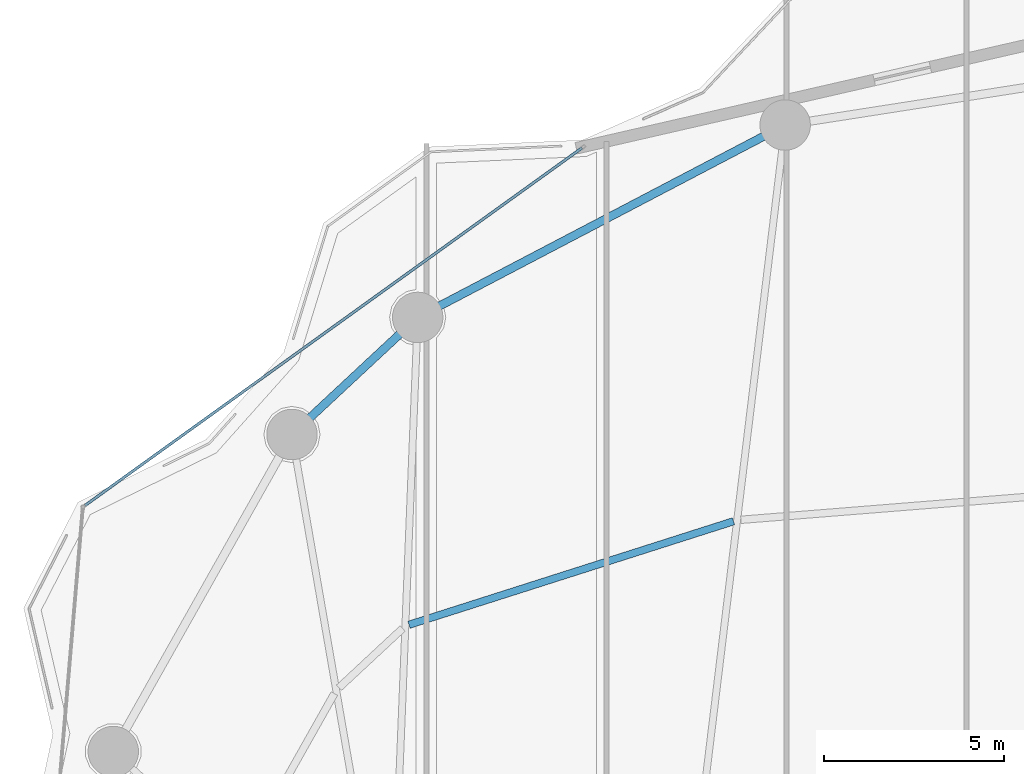
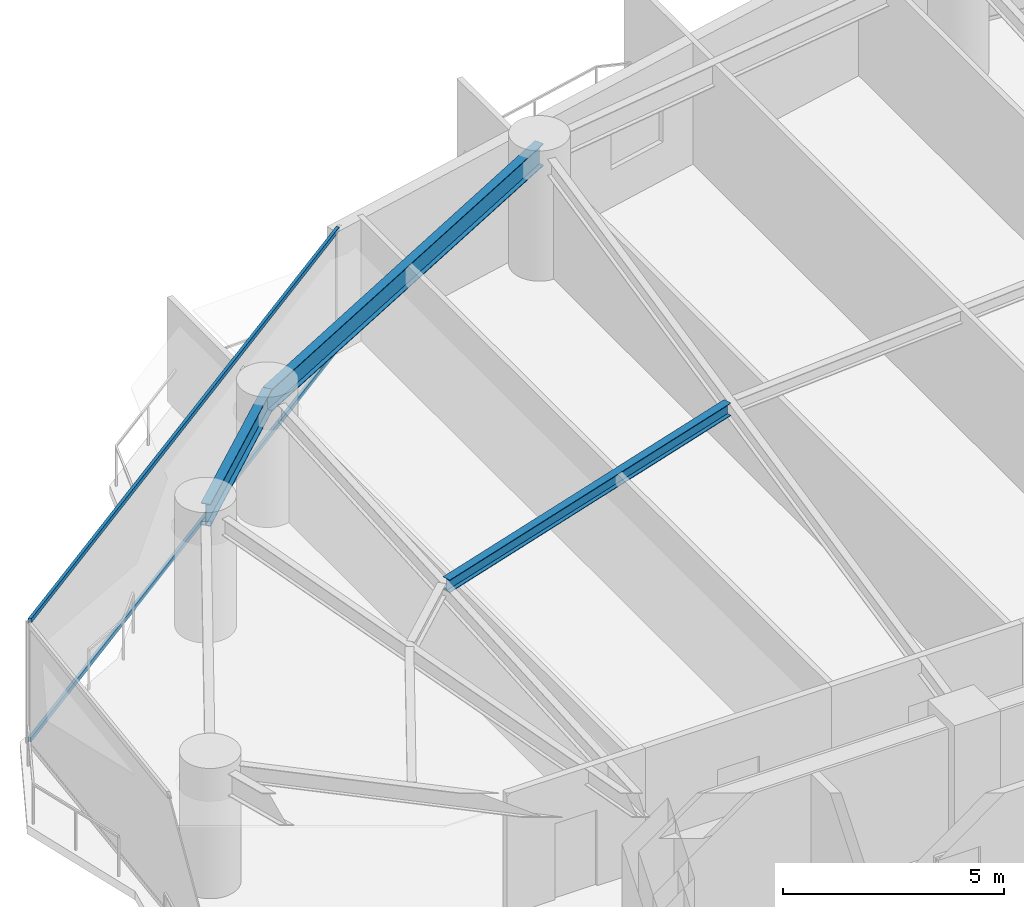
# One storey, part 18 of 30: 3 beams, 2 members, 1 element without a shape of its own.
"""IFC4 building model written with IfcOpenShell, lengths in metres."""

from ifc_helpers import new_model, si_unit, direction, frame, origin, origin_2d, place, context, subcontext, project, spatial, hollow_rectangle, i_section, extrude, material, layer, layer_set, material_profile, profile_set, type_object, element, aggregate, save


model = new_model("IFC4")

# Units and contexts
model_context = context("Model", 3, precision=1e-05, world=origin(), true_north=direction((0.0, 1.0)))
body_context = subcontext(model_context, "Body", "Model", "MODEL_VIEW")
ifc_project = project(units=[si_unit("LENGTHUNIT", "METRE"), si_unit("AREAUNIT", "SQUARE_METRE"), si_unit("VOLUMEUNIT", "CUBIC_METRE"), si_unit("PLANEANGLEUNIT", "RADIAN"), si_unit("MASSUNIT", "GRAM", prefix="KILO")], contexts=[model_context])

# Site, building, storey
site_placement = place(None, origin())
site = spatial("IfcSite", under=ifc_project, at=site_placement, CompositionType="ELEMENT")
building_placement = place(site_placement, origin())
building = spatial("IfcBuilding", under=site, at=building_placement, Name="Kazevale Care Tower and Concert Hall", CompositionType="ELEMENT")
storey_placement = place(building_placement, frame((0.0, 0.0, 74.39990234375)))
storey = spatial("IfcBuildingStorey", under=building, at=storey_placement, Name="L19", CompositionType="ELEMENT", Elevation=74.39990234375)

# Curtain wall, members
ifc_material_1 = material(Name="Aluminium 6063-T6 and Low-E Glass", Category="aluminium")
ifc_layer = layer(ifc_material_1, 0.179931640625)
ifc_layer_set = layer_set([ifc_layer], Name="Aluminium 6063-T6 and Low-E Glass")
curtain_wall_type = type_object("IfcCurtainWallType", Name="Convex Recessed Sunroom Curtain Wall CW-3", PredefinedType="NOTDEFINED", material=ifc_layer_set)
curtain_wall_placement = place(storey_placement, origin())
curtain_wall = element("IfcCurtainWall", 1, at=curtain_wall_placement, inside=storey, type_object=curtain_wall_type, Name="cw:L19:f14", PredefinedType="NOTDEFINED")
ifc_material_2 = material(Name="Aluminium 6063-T6", Category="aluminium")
ifc_material_profile_1 = material_profile(ifc_material_2, hollow_rectangle(XDim=0.074951171875, YDim=0.1201171875, WallThickness=0.00390625, at=origin_2d()), Name="ALU75x120x4")
ifc_profile_set_1 = profile_set([ifc_material_profile_1], Name="Aluminium 6063-T6")
member_type = type_object("IfcMemberType", Name="CW-3 Transom ALU75x120x4", PredefinedType="USERDEFINED", material=ifc_profile_set_1)
member_1_placement = place(storey_placement, frame((13.52490234375, 50.208740234375, 0.03759765625), z_axis=(0.811758858834, 0.583992769737, 0.0), x_axis=(-0.583992769737, 0.811758858834, 0.0)))
member_1 = element("IfcMember", 2, at=member_1_placement, type_object=member_type, Name="CW-3 transom 1.1", ObjectType="TRANSOM", PredefinedType="USERDEFINED", context=body_context, shape_type="SweptSolid", body=[
    extrude(hollow_rectangle(XDim=0.074951171875, YDim=0.1201171875, WallThickness=0.00390625, at=origin_2d()), origin(), (0.0, 0.0, 1.0), 16.990478515625),
])
member_2_placement = place(storey_placement, frame((13.52490234375, 50.208740234375, 3.322509765625), z_axis=(0.811758858834, 0.583992769737, 0.0), x_axis=(-0.583992769737, 0.811758858834, 0.0)))
member_2 = element("IfcMember", 3, at=member_2_placement, type_object=member_type, Name="CW-3 transom 1.2", ObjectType="TRANSOM", PredefinedType="USERDEFINED", context=body_context, shape_type="SweptSolid", body=[
    extrude(hollow_rectangle(XDim=0.074951171875, YDim=0.1201171875, WallThickness=0.00390625, at=origin_2d()), origin(), (0.0, 0.0, 1.0), 16.990478515625),
])
aggregate(curtain_wall, [member_1, member_2])

# Beams
ifc_material_3 = material(Name="Steel ASTM A572 Gr 50", Category="steel")
ifc_material_profile_2 = material_profile(ifc_material_3, i_section(OverallWidth=0.22900390625, OverallDepth=0.612060546875, WebThickness=0.011962890625, FlangeThickness=0.01953125, at=origin_2d()), Name="W610x125")
ifc_profile_set_2 = profile_set([ifc_material_profile_2], Name="Steel ASTM A572 Gr 50")
beam_type_1 = type_object("IfcBeamType", Name="Ring Spandrel Beam W610x125", PredefinedType="SPANDREL", material=ifc_profile_set_2)
beam_1_placement = place(storey_placement, frame((32.9599609375, 60.77001953125, 3.05419921875), z_axis=(-0.885929466679, -0.463819986708, 0.0), x_axis=(0.463819986708, -0.885929466679, 0.0)))
element("IfcBeam", 4, at=beam_1_placement, inside=storey, type_object=beam_type_1, Name="beam:L19:ring:06", PredefinedType="SPANDREL", context=body_context, shape_type="SweptSolid", body=[
    extrude(i_section(OverallWidth=0.22900390625, OverallDepth=0.612060546875, WebThickness=0.011962890625, FlangeThickness=0.01953125, at=origin_2d()), origin(), (0.0, 0.0, 1.0), 11.51318359375),
])
beam_2_placement = place(storey_placement, frame((22.760009765625, 55.429931640625, 3.05419921875), z_axis=(-0.731820896228, -0.681497010884, 0.0), x_axis=(0.681497010884, -0.731820896228, 0.0)))
element("IfcBeam", 5, at=beam_2_placement, inside=storey, type_object=beam_type_1, Name="beam:L19:ring:07", PredefinedType="SPANDREL", context=body_context, shape_type="SweptSolid", body=[
    extrude(i_section(OverallWidth=0.22900390625, OverallDepth=0.612060546875, WebThickness=0.011962890625, FlangeThickness=0.01953125, at=origin_2d()), origin(), (0.0, 0.0, 1.0), 4.768798828125),
])
ifc_material_profile_3 = material_profile(ifc_material_3, i_section(OverallWidth=0.205078125, OverallDepth=0.35400390625, WebThickness=0.009521484375, FlangeThickness=0.016845703125, at=origin_2d()), Name="W360x79")
ifc_profile_set_3 = profile_set([ifc_material_profile_3], Name="Steel ASTM A572 Gr 50")
beam_type_2 = type_object("IfcBeamType", Name="Secondary Floor Joist W360x79", PredefinedType="JOIST", material=ifc_profile_set_3)
beam_3_placement = place(storey_placement, frame((31.528076171875, 49.77197265625, 3.18310546875), z_axis=(-0.9527054955, -0.303895111584, 0.0), x_axis=(0.303895111584, -0.9527054955, 0.0)))
element("IfcBeam", 6, at=beam_3_placement, inside=storey, type_object=beam_type_2, Name="beam:L19:joist:06", PredefinedType="JOIST", context=body_context, shape_type="SweptSolid", body=[
    extrude(i_section(OverallWidth=0.205078125, OverallDepth=0.35400390625, WebThickness=0.009521484375, FlangeThickness=0.016845703125, at=origin_2d()), origin(), (0.0, 0.0, 1.0), 9.457275390625),
])

save(model, "model.ifc")
